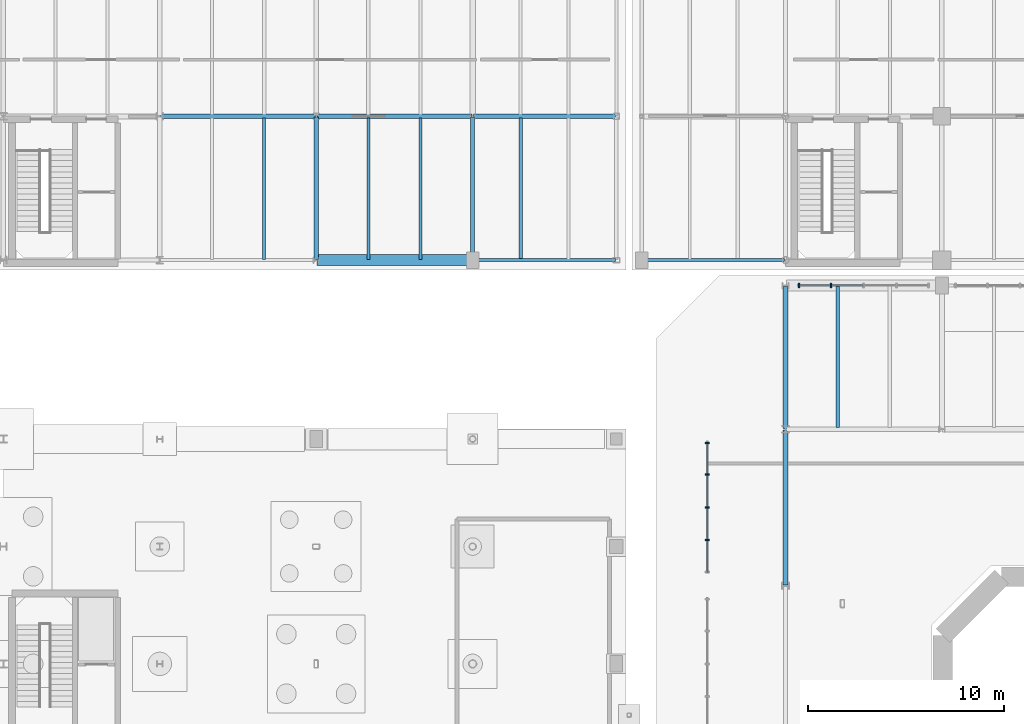
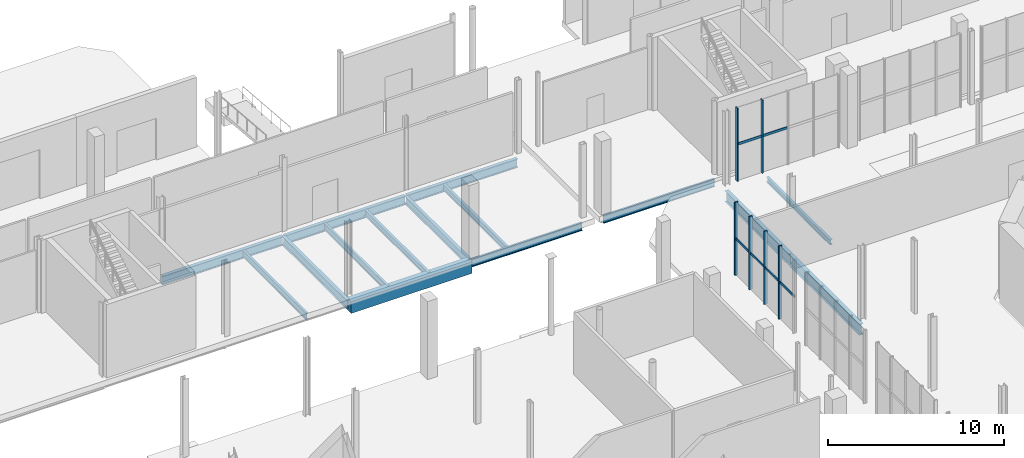
# One storey, part 45 of 87: 15 beams, 12 members, 2 elements without a shape of their own.
"""IFC4 building model written with IfcOpenShell, lengths in metres."""

from ifc_helpers import new_model, si_unit, direction, frame, origin, origin_2d, place, context, subcontext, project, spatial, rectangle, i_section, extrude, material, material_profile, profile_set, type_object, element, aggregate, save


model = new_model("IFC4")

# Units and contexts
model_context = context("Model", 3, precision=1e-05, world=origin(), true_north=direction((0.0, 1.0)))
body_context = subcontext(model_context, "Body", "Model", "MODEL_VIEW")
ifc_project = project(units=[si_unit("LENGTHUNIT", "METRE"), si_unit("AREAUNIT", "SQUARE_METRE"), si_unit("VOLUMEUNIT", "CUBIC_METRE"), si_unit("PLANEANGLEUNIT", "RADIAN"), si_unit("MASSUNIT", "GRAM", prefix="KILO")], contexts=[model_context])

# Site, building, storey
site_placement = place(None, origin())
site = spatial("IfcSite", under=ifc_project, at=site_placement, CompositionType="ELEMENT")
building_placement = place(site_placement, origin())
building = spatial("IfcBuilding", under=site, at=building_placement, Name="Brisemont Oceanarium", CompositionType="ELEMENT")
storey_placement = place(building_placement, origin())
storey = spatial("IfcBuildingStorey", under=building, at=storey_placement, Name="L00", CompositionType="ELEMENT", Elevation=0.0)

# Beams
ifc_material_1 = material(Name="Concrete C40/50", Category="concrete")
ifc_material_profile_1 = material_profile(ifc_material_1, rectangle(XDim=0.550048828125, YDim=0.800048828125, at=origin_2d()), Name="RC-BM-550X800")
ifc_profile_set_1 = profile_set([ifc_material_profile_1], Name="Concrete C40/50")
beam_type_1 = type_object("IfcBeamType", Name="BM-RC550X800", PredefinedType="SPANDREL", material=ifc_profile_set_1)
beam_1_placement = place(storey_placement, frame((40.0400390625, 80.64990234375, -0.780029296875), z_axis=(1.0, 0.0, 0.0), x_axis=(0.0, 1.0, 0.0)))
element("IfcBeam", 1, at=beam_1_placement, inside=storey, type_object=beam_type_1, Name="V7W L00 EW girder", PredefinedType="SPANDREL", context=body_context, shape_type="SweptSolid", body=[
    extrude(rectangle(XDim=0.550048828125, YDim=0.800048828125, at=origin_2d()), origin(), (0.0, 0.0, 1.0), 7.919921875),
])
ifc_material_2 = material(Name="Structural Steel ASTM A992 Gr.50", Category="steel")
ifc_material_profile_2 = material_profile(ifc_material_2, i_section(OverallWidth=0.1708984375, OverallDepth=0.35107421875, WebThickness=0.0068359375, FlangeThickness=0.009765625, FilletRadius=0.010009765625, at=origin_2d()), Name="W14X30")
ifc_profile_set_2 = profile_set([ifc_material_profile_2], Name="Structural Steel ASTM A992 Gr.50")
beam_type_2 = type_object("IfcBeamType", Name="BM-W14X30", PredefinedType="JOIST", material=ifc_profile_set_2)
beam_2_placement = place(storey_placement, frame((66.666748046875, 72.090087890625, -0.555419921875), z_axis=(0.0, 1.0, 0.0), x_axis=(-1.0, 0.0, 0.0)))
element("IfcBeam", 2, at=beam_2_placement, inside=storey, type_object=beam_type_2, Name="V1 L00 secondary floor beam", PredefinedType="JOIST", context=body_context, shape_type="SweptSolid", body=[
    extrude(i_section(OverallWidth=0.1708984375, OverallDepth=0.35107421875, WebThickness=0.0068359375, FlangeThickness=0.009765625, FilletRadius=0.010009765625, at=origin_2d()), origin(), (0.0, 0.0, 1.0), 7.219970703125),
])
ifc_material_3 = material(Name="Structural Steel ASTM A992 Gr.50", Category="steel")
ifc_material_profile_3 = material_profile(ifc_material_3, i_section(OverallWidth=0.177978515625, OverallDepth=0.404052734375, WebThickness=0.007568359375, FlangeThickness=0.010986328125, FilletRadius=0.010009765625, at=origin_2d()), Name="W16X36")
ifc_profile_set_3 = profile_set([ifc_material_profile_3], Name="Structural Steel ASTM A992 Gr.50")
beam_type_3 = type_object("IfcBeamType", Name="BM-W16X36", PredefinedType="JOIST", material=ifc_profile_set_3)
for number, where, z_axis, x_axis, name in (
    (3, (45.333251953125, 80.68994140625, -0.58203125), (0.0, 1.0, 0.0), (-1.0, 0.0, 0.0), "V7W L00 secondary floor beam"),
    (4, (50.449951171875, 80.68994140625, -0.58203125), (0.0, 1.0, 0.0), (-1.0, 0.0, 0.0), "V7W L00 secondary floor beam"),
):
    element("IfcBeam", number, at=place(storey_placement, frame(where, z_axis=z_axis, x_axis=x_axis)), inside=storey, type_object=beam_type_3, Name=name, PredefinedType="JOIST", context=body_context, shape_type="SweptSolid", body=[
        extrude(i_section(OverallWidth=0.177978515625, OverallDepth=0.404052734375, WebThickness=0.007568359375, FlangeThickness=0.010986328125, FilletRadius=0.010009765625, at=origin_2d()), origin(), (0.0, 0.0, 1.0), 7.219970703125),
    ])
ifc_material_4 = material(Name="Structural Steel ASTM A992 Gr.50", Category="steel")
ifc_material_profile_4 = material_profile(ifc_material_4, i_section(OverallWidth=0.153076171875, OverallDepth=0.455078125, WebThickness=0.008056640625, FlangeThickness=0.01318359375, FilletRadius=0.010986328125, at=origin_2d()), Name="W18X40")
ifc_profile_set_4 = profile_set([ifc_material_profile_4], Name="Structural Steel ASTM A992 Gr.50")
beam_type_4 = type_object("IfcBeamType", Name="BM-W18X40", PredefinedType="JOIST", material=ifc_profile_set_4)
for number, where, z_axis, x_axis, name in (
    (5, (37.333251953125, 80.68994140625, -0.607421875), (0.0, 1.0, 0.0), (-1.0, 0.0, 0.0), "V7W L00 secondary floor beam"),
    (6, (42.666748046875, 80.68994140625, -0.607421875), (0.0, 1.0, 0.0), (-1.0, 0.0, 0.0), "V7W L00 secondary floor beam"),
):
    element("IfcBeam", number, at=place(storey_placement, frame(where, z_axis=z_axis, x_axis=x_axis)), inside=storey, type_object=beam_type_4, Name=name, PredefinedType="JOIST", context=body_context, shape_type="SweptSolid", body=[
        extrude(i_section(OverallWidth=0.153076171875, OverallDepth=0.455078125, WebThickness=0.008056640625, FlangeThickness=0.01318359375, FilletRadius=0.010986328125, at=origin_2d()), origin(), (0.0, 0.0, 1.0), 7.219970703125),
    ])
ifc_material_5 = material(Name="Structural Steel ASTM A992 Gr.50", Category="steel")
ifc_material_profile_5 = material_profile(ifc_material_5, i_section(OverallWidth=0.166015625, OverallDepth=0.528076171875, WebThickness=0.009765625, FlangeThickness=0.013671875, FilletRadius=0.012939453125, at=origin_2d()), Name="W21X50")
ifc_profile_set_5 = profile_set([ifc_material_profile_5], Name="Structural Steel ASTM A992 Gr.50")
beam_type_5 = type_object("IfcBeamType", Name="BM-W21X50", PredefinedType="SPANDREL", material=ifc_profile_set_5)
for number, where, z_axis, x_axis, name in (
    (7, (48.0400390625, 80.64990234375, -0.64404296875), (1.0, 0.0, 0.0), (0.0, 1.0, 0.0), "V7W L00 EW girder"),
    (8, (56.68994140625, 80.64990234375, -0.64404296875), (1.0, 0.0, 0.0), (0.0, 1.0, 0.0), "V7E L00 EW girder"),
):
    element("IfcBeam", number, at=place(storey_placement, frame(where, z_axis=z_axis, x_axis=x_axis)), inside=storey, type_object=beam_type_5, Name=name, PredefinedType="SPANDREL", context=body_context, shape_type="SweptSolid", body=[
        extrude(i_section(OverallWidth=0.166015625, OverallDepth=0.528076171875, WebThickness=0.009765625, FlangeThickness=0.013671875, FilletRadius=0.012939453125, at=origin_2d()), origin(), (0.0, 0.0, 1.0), 7.27001953125),
    ])
ifc_material_6 = material(Name="Structural Steel ASTM A992 Gr.50", Category="steel")
ifc_material_profile_6 = material_profile(ifc_material_6, i_section(OverallWidth=0.2099609375, OverallDepth=0.532958984375, WebThickness=0.01025390625, FlangeThickness=0.015625, FilletRadius=0.012939453125, at=origin_2d()), Name="W21X62")
ifc_profile_set_6 = profile_set([ifc_material_profile_6], Name="Structural Steel ASTM A992 Gr.50")
beam_type_6 = type_object("IfcBeamType", Name="BM-W21X62", PredefinedType="BEAM", material=ifc_profile_set_6)
beam_3_placement = place(storey_placement, frame((48.0, 80.68994140625, -0.646484375), z_axis=(0.0, 1.0, 0.0), x_axis=(-1.0, 0.0, 0.0)))
element("IfcBeam", 9, at=beam_3_placement, inside=storey, type_object=beam_type_6, Name="V7W L00 NS girder", PredefinedType="BEAM", context=body_context, shape_type="SweptSolid", body=[
    extrude(i_section(OverallWidth=0.2099609375, OverallDepth=0.532958984375, WebThickness=0.01025390625, FlangeThickness=0.015625, FilletRadius=0.012939453125, at=origin_2d()), origin(), (0.0, 0.0, 1.0), 7.27001953125),
])
ifc_material_7 = material(Name="Structural Steel ASTM A992 Gr.50", Category="steel")
ifc_material_profile_7 = material_profile(ifc_material_7, i_section(OverallWidth=0.22802734375, OverallDepth=0.60205078125, WebThickness=0.010498046875, FlangeThickness=0.014892578125, FilletRadius=0.012939453125, at=origin_2d()), Name="W24X68")
ifc_profile_set_7 = profile_set([ifc_material_profile_7], Name="Structural Steel ASTM A992 Gr.50")
beam_type_7 = type_object("IfcBeamType", Name="BM-W24X68", PredefinedType="BEAM", material=ifc_profile_set_7)
for number, where, z_axis, x_axis, name in (
    (10, (48.0400390625, 88.0, -0.680908203125), (1.0, 0.0, 0.0), (0.0, 1.0, 0.0), "V7W L00 EW girder"),
    (11, (40.0, 80.68994140625, -0.680908203125), (0.0, 1.0, 0.0), (-1.0, 0.0, 0.0), "V7W L00 NS girder"),
):
    element("IfcBeam", number, at=place(storey_placement, frame(where, z_axis=z_axis, x_axis=x_axis)), inside=storey, type_object=beam_type_7, Name=name, PredefinedType="BEAM", context=body_context, shape_type="SweptSolid", body=[
        extrude(i_section(OverallWidth=0.22802734375, OverallDepth=0.60205078125, WebThickness=0.010498046875, FlangeThickness=0.014892578125, FilletRadius=0.012939453125, at=origin_2d()), origin(), (0.0, 0.0, 1.0), 7.27001953125),
    ])
ifc_material_8 = material(Name="Structural Steel ASTM A992 Gr.50", Category="steel")
ifc_material_profile_8 = material_profile(ifc_material_8, i_section(OverallWidth=0.22802734375, OverallDepth=0.60791015625, WebThickness=0.01123046875, FlangeThickness=0.017333984375, FilletRadius=0.012939453125, at=origin_2d()), Name="W24X76")
ifc_profile_set_8 = profile_set([ifc_material_profile_8], Name="Structural Steel ASTM A992 Gr.50")
beam_type_8 = type_object("IfcBeamType", Name="BM-W24X76", PredefinedType="BEAM", material=ifc_profile_set_8)
beam_4_placement = place(storey_placement, frame((40.0400390625, 88.0, -0.68408203125), z_axis=(1.0, 0.0, 0.0), x_axis=(0.0, 1.0, 0.0)))
element("IfcBeam", 12, at=beam_4_placement, inside=storey, type_object=beam_type_8, Name="V7W L00 EW girder", PredefinedType="BEAM", context=body_context, shape_type="SweptSolid", body=[
    extrude(i_section(OverallWidth=0.22802734375, OverallDepth=0.60791015625, WebThickness=0.01123046875, FlangeThickness=0.017333984375, FilletRadius=0.012939453125, at=origin_2d()), origin(), (0.0, 0.0, 1.0), 7.919921875),
])
ifc_material_9 = material(Name="Structural Steel ASTM A992 Gr.50", Category="steel")
ifc_material_profile_9 = material_profile(ifc_material_9, i_section(OverallWidth=0.22900390625, OverallDepth=0.612060546875, WebThickness=0.011962890625, FlangeThickness=0.01953125, FilletRadius=0.012939453125, at=origin_2d()), Name="W24X84")
ifc_profile_set_9 = profile_set([ifc_material_profile_9], Name="Structural Steel ASTM A992 Gr.50")
beam_type_9 = type_object("IfcBeamType", Name="BM-W24X84", PredefinedType="BEAM", material=ifc_profile_set_9)
beam_5_placement = place(storey_placement, frame((32.0400390625, 88.0, -0.68603515625), z_axis=(1.0, 0.0, 0.0), x_axis=(0.0, 1.0, 0.0)))
element("IfcBeam", 13, at=beam_5_placement, inside=storey, type_object=beam_type_9, Name="V7W L00 EW girder", PredefinedType="BEAM", context=body_context, shape_type="SweptSolid", body=[
    extrude(i_section(OverallWidth=0.22900390625, OverallDepth=0.612060546875, WebThickness=0.011962890625, FlangeThickness=0.01953125, FilletRadius=0.012939453125, at=origin_2d()), origin(), (0.0, 0.0, 1.0), 7.919921875),
])
ifc_material_10 = material(Name="Structural Steel ASTM A992 Gr.50", Category="steel")
ifc_material_profile_10 = material_profile(ifc_material_10, i_section(OverallWidth=0.26708984375, OverallDepth=0.761962890625, WebThickness=0.014404296875, FlangeThickness=0.021484375, FilletRadius=0.01611328125, at=origin_2d()), Name="W30X116")
ifc_profile_set_10 = profile_set([ifc_material_profile_10], Name="Structural Steel ASTM A992 Gr.50")
beam_type_10 = type_object("IfcBeamType", Name="BM-W30X116", PredefinedType="BEAM", material=ifc_profile_set_10)
beam_6_placement = place(storey_placement, frame((64.0, 64.0400390625, -0.760986328125), z_axis=(0.0, 1.0, 0.0), x_axis=(-1.0, 0.0, 0.0)))
element("IfcBeam", 14, at=beam_6_placement, inside=storey, type_object=beam_type_10, Name="V1 L00 NS girder", PredefinedType="BEAM", context=body_context, shape_type="SweptSolid", body=[
    extrude(i_section(OverallWidth=0.26708984375, OverallDepth=0.761962890625, WebThickness=0.014404296875, FlangeThickness=0.021484375, FilletRadius=0.01611328125, at=origin_2d()), origin(), (0.0, 0.0, 1.0), 7.919921875),
])
ifc_material_11 = material(Name="Structural Steel ASTM A992 Gr.50", Category="steel")
ifc_material_profile_11 = material_profile(ifc_material_11, i_section(OverallWidth=0.264892578125, OverallDepth=0.7529296875, WebThickness=0.01318359375, FlangeThickness=0.01708984375, FilletRadius=0.01611328125, at=origin_2d()), Name="W30X99")
ifc_profile_set_11 = profile_set([ifc_material_profile_11], Name="Structural Steel ASTM A992 Gr.50")
beam_type_11 = type_object("IfcBeamType", Name="BM-W30X99", PredefinedType="BEAM", material=ifc_profile_set_11)
beam_7_placement = place(storey_placement, frame((64.0, 72.0400390625, -0.756591796875), z_axis=(0.0, 1.0, 0.0), x_axis=(-1.0, 0.0, 0.0)))
element("IfcBeam", 15, at=beam_7_placement, inside=storey, type_object=beam_type_11, Name="V1 L00 NS girder", PredefinedType="BEAM", context=body_context, shape_type="SweptSolid", body=[
    extrude(i_section(OverallWidth=0.264892578125, OverallDepth=0.7529296875, WebThickness=0.01318359375, FlangeThickness=0.01708984375, FilletRadius=0.01611328125, at=origin_2d()), origin(), (0.0, 0.0, 1.0), 7.27001953125),
])

# Curtain wall, members
ifc_material_12 = material(Name="Anodized Extruded Aluminum 6063-T6", Category="aluminium")
curtain_wall_type = type_object("IfcCurtainWallType", Name="CW-ROT-69X50", PredefinedType="NOTDEFINED", material=ifc_material_12)
curtain_wall_1_placement = place(storey_placement, origin())
curtain_wall_1 = element("IfcCurtainWall", 16, at=curtain_wall_1_placement, inside=storey, type_object=curtain_wall_type, Name="CW-01 curtain wall CW-V1-N-L00-01", PredefinedType="NOTDEFINED")
ifc_material_13 = material(Name="Anodized Extruded Aluminum 6063-T6", Category="aluminium")
ifc_material_profile_12 = material_profile(ifc_material_13, rectangle(XDim=0.074951171875, YDim=0.219970703125, at=origin_2d()), Name="CWM-75X220")
ifc_profile_set_12 = profile_set([ifc_material_profile_12], Name="Anodized Extruded Aluminum 6063-T6")
member_type_1 = type_object("IfcMemberType", Name="MEM-CWM-75", PredefinedType="MULLION", material=ifc_profile_set_12)
member_1_placement = place(storey_placement, frame((64.695068359375, 79.35009765625, 0.0), z_axis=(0.0, 0.0, 1.0), x_axis=(1.0, 0.0, 0.0)))
member_1 = element("IfcMember", 17, at=member_1_placement, type_object=member_type_1, Name="CW-V1-N-L00-01 mullion 1", PredefinedType="MULLION", context=body_context, shape_type="SweptSolid", body=[
    extrude(rectangle(XDim=0.074951171875, YDim=0.219970703125, at=origin_2d()), origin(), (0.0, 0.0, 1.0), 5.06005859375),
])
member_2_placement = place(storey_placement, frame((66.324951171875, 79.35009765625, 0.0), z_axis=(0.0, 0.0, 1.0), x_axis=(1.0, 0.0, 0.0)))
member_2 = element("IfcMember", 18, at=member_2_placement, type_object=member_type_1, Name="CW-V1-N-L00-01 mullion 2", PredefinedType="MULLION", context=body_context, shape_type="SweptSolid", body=[
    extrude(rectangle(XDim=0.074951171875, YDim=0.219970703125, at=origin_2d()), origin(), (0.0, 0.0, 1.0), 5.06005859375),
])

curtain_wall_2_placement = place(storey_placement, origin())
curtain_wall_2 = element("IfcCurtainWall", 19, at=curtain_wall_2_placement, inside=storey, type_object=curtain_wall_type, Name="CW-01 curtain wall CW-V1-W-L00-04", PredefinedType="NOTDEFINED")
member_3_placement = place(storey_placement, frame((60.0, 66.324951171875, 0.0), z_axis=(0.0, 0.0, 1.0), x_axis=(0.0, 1.0, 0.0)))
member_3 = element("IfcMember", 20, at=member_3_placement, type_object=member_type_1, Name="CW-V1-W-L00-04 mullion 2", PredefinedType="MULLION", context=body_context, shape_type="SweptSolid", body=[
    extrude(rectangle(XDim=0.074951171875, YDim=0.219970703125, at=origin_2d()), origin(), (0.0, 0.0, 1.0), 5.06005859375),
])
member_4_placement = place(storey_placement, frame((60.0, 68.0, 0.0), z_axis=(0.0, 0.0, 1.0), x_axis=(0.0, 1.0, 0.0)))
member_4 = element("IfcMember", 21, at=member_4_placement, type_object=member_type_1, Name="CW-V1-W-L00-04 mullion 3", PredefinedType="MULLION", context=body_context, shape_type="SweptSolid", body=[
    extrude(rectangle(XDim=0.074951171875, YDim=0.219970703125, at=origin_2d()), origin(), (0.0, 0.0, 1.0), 5.06005859375),
])
member_5_placement = place(storey_placement, frame((60.0, 69.675048828125, 0.0), z_axis=(0.0, 0.0, 1.0), x_axis=(0.0, 1.0, 0.0)))
member_5 = element("IfcMember", 22, at=member_5_placement, type_object=member_type_1, Name="CW-V1-W-L00-04 mullion 4", PredefinedType="MULLION", context=body_context, shape_type="SweptSolid", body=[
    extrude(rectangle(XDim=0.074951171875, YDim=0.219970703125, at=origin_2d()), origin(), (0.0, 0.0, 1.0), 5.06005859375),
])
member_6_placement = place(storey_placement, frame((60.0, 71.304931640625, 0.0), z_axis=(0.0, 0.0, 1.0), x_axis=(0.0, 1.0, 0.0)))
member_6 = element("IfcMember", 23, at=member_6_placement, type_object=member_type_1, Name="CW-V1-W-L00-04 mullion 5", PredefinedType="MULLION", context=body_context, shape_type="SweptSolid", body=[
    extrude(rectangle(XDim=0.074951171875, YDim=0.219970703125, at=origin_2d()), origin(), (0.0, 0.0, 1.0), 5.06005859375),
])

# Member
ifc_material_14 = material(Name="Anodized Extruded Aluminum 6063-T6", Category="aluminium")
ifc_material_profile_13 = material_profile(ifc_material_14, rectangle(XDim=0.074951171875, YDim=0.1650390625, at=origin_2d()), Name="CWT-75X165")
ifc_profile_set_13 = profile_set([ifc_material_profile_13], Name="Anodized Extruded Aluminum 6063-T6")
member_type_2 = type_object("IfcMemberType", Name="MEM-CWT-75", PredefinedType="USERDEFINED", material=ifc_profile_set_13)
member_7_placement = place(storey_placement, frame((64.6650390625, 79.35009765625, 2.530029296875), z_axis=(1.0, 0.0, 0.0), x_axis=(0.0, 1.0, 0.0)))
member_7 = element("IfcMember", 24, at=member_7_placement, type_object=member_type_2, Name="CW-V1-N-L00-01 transom 1.1", ObjectType="TRANSOM", PredefinedType="USERDEFINED", context=body_context, shape_type="SweptSolid", body=[
    extrude(rectangle(XDim=0.074951171875, YDim=0.1650390625, at=origin_2d()), origin(), (0.0, 0.0, 1.0), 1.64501953125),
])

member_8_placement = place(storey_placement, frame((66.340087890625, 79.35009765625, 2.530029296875), z_axis=(1.0, 0.0, 0.0), x_axis=(0.0, 1.0, 0.0)))
member_8 = element("IfcMember", 25, at=member_8_placement, type_object=member_type_2, Name="CW-V1-N-L00-01 transom 2.1", ObjectType="TRANSOM", PredefinedType="USERDEFINED", context=body_context, shape_type="SweptSolid", body=[
    extrude(rectangle(XDim=0.074951171875, YDim=0.1650390625, at=origin_2d()), origin(), (0.0, 0.0, 1.0), 1.64501953125),
])

aggregate(curtain_wall_1, [member_1, member_2, member_7, member_8])

member_9_placement = place(storey_placement, frame((60.0, 64.6650390625, 2.530029296875), z_axis=(0.0, 1.0, 0.0), x_axis=(-1.0, 0.0, 0.0)))
member_9 = element("IfcMember", 26, at=member_9_placement, type_object=member_type_2, Name="CW-V1-W-L00-04 transom 1.1", ObjectType="TRANSOM", PredefinedType="USERDEFINED", context=body_context, shape_type="SweptSolid", body=[
    extrude(rectangle(XDim=0.074951171875, YDim=0.1650390625, at=origin_2d()), origin(), (0.0, 0.0, 1.0), 1.64501953125),
])

member_10_placement = place(storey_placement, frame((60.0, 66.340087890625, 2.530029296875), z_axis=(0.0, 1.0, 0.0), x_axis=(-1.0, 0.0, 0.0)))
member_10 = element("IfcMember", 27, at=member_10_placement, type_object=member_type_2, Name="CW-V1-W-L00-04 transom 2.1", ObjectType="TRANSOM", PredefinedType="USERDEFINED", context=body_context, shape_type="SweptSolid", body=[
    extrude(rectangle(XDim=0.074951171875, YDim=0.1650390625, at=origin_2d()), origin(), (0.0, 0.0, 1.0), 1.64501953125),
])

member_11_placement = place(storey_placement, frame((60.0, 68.014892578125, 2.530029296875), z_axis=(0.0, 1.0, 0.0), x_axis=(-1.0, 0.0, 0.0)))
member_11 = element("IfcMember", 28, at=member_11_placement, type_object=member_type_2, Name="CW-V1-W-L00-04 transom 3.1", ObjectType="TRANSOM", PredefinedType="USERDEFINED", context=body_context, shape_type="SweptSolid", body=[
    extrude(rectangle(XDim=0.074951171875, YDim=0.1650390625, at=origin_2d()), origin(), (0.0, 0.0, 1.0), 1.64501953125),
])

member_12_placement = place(storey_placement, frame((60.0, 69.68994140625, 2.530029296875), z_axis=(0.0, 1.0, 0.0), x_axis=(-1.0, 0.0, 0.0)))
member_12 = element("IfcMember", 29, at=member_12_placement, type_object=member_type_2, Name="CW-V1-W-L00-04 transom 4.1", ObjectType="TRANSOM", PredefinedType="USERDEFINED", context=body_context, shape_type="SweptSolid", body=[
    extrude(rectangle(XDim=0.074951171875, YDim=0.1650390625, at=origin_2d()), origin(), (0.0, 0.0, 1.0), 1.64501953125),
])

aggregate(curtain_wall_2, [member_3, member_4, member_5, member_6, member_9, member_10, member_11, member_12])

save(model, "model.ifc")
